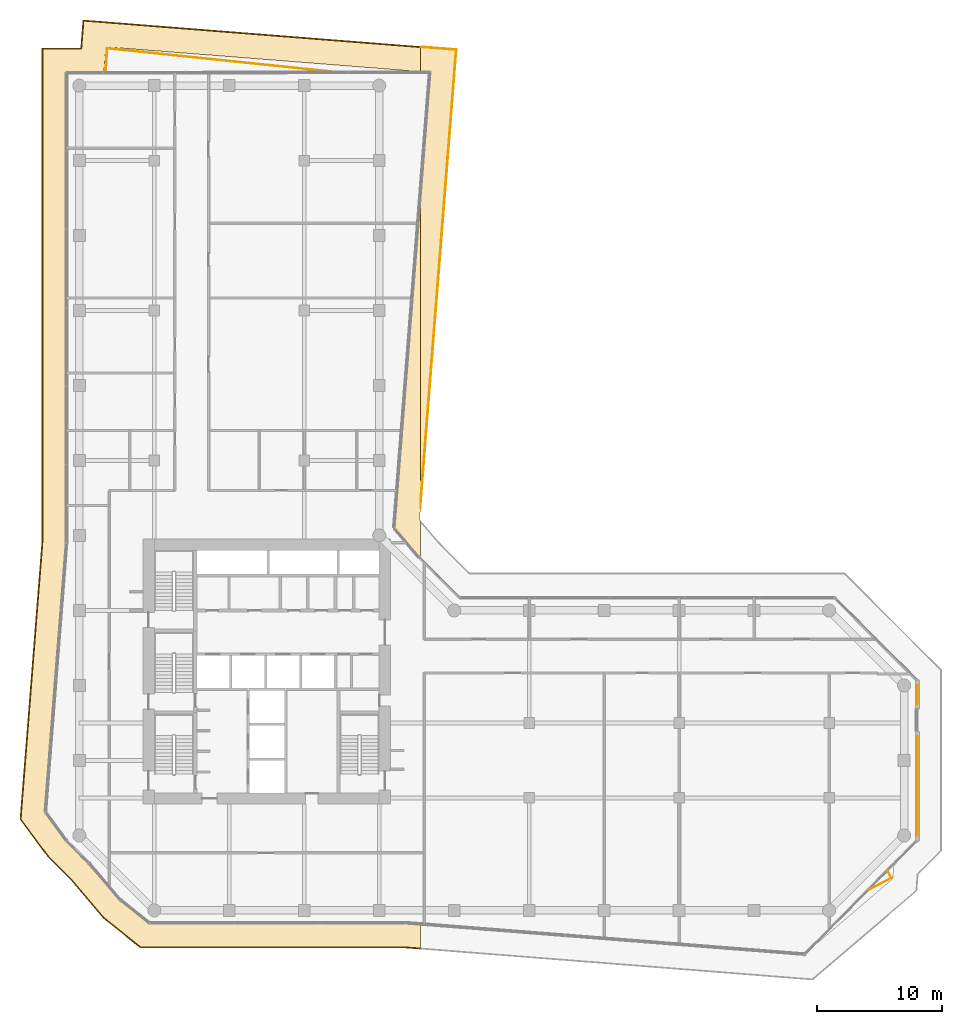
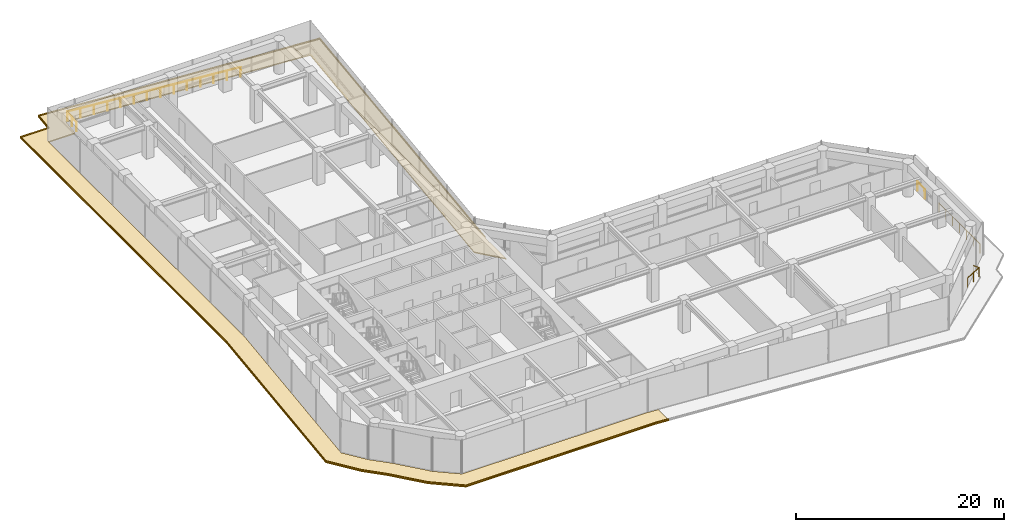
# One storey, part 29 of 29: 5 coverings, 4 railings.
"""IFC4 building model written with IfcOpenShell, lengths in metres."""

from ifc_helpers import new_model, si_unit, direction, frame, origin, origin_2d, place, context, subcontext, project, spatial, polyline, circle, outline, extrude, material, layer, layer_set, type_object, element, save


model = new_model("IFC4")

# Units and contexts
model_context = context("Model", 3, precision=1e-05, world=origin(), true_north=direction((0.0, 1.0)))
body_context = subcontext(model_context, "Body", "Model", "MODEL_VIEW")
ifc_project = project(units=[si_unit("LENGTHUNIT", "METRE"), si_unit("AREAUNIT", "SQUARE_METRE"), si_unit("VOLUMEUNIT", "CUBIC_METRE"), si_unit("PLANEANGLEUNIT", "RADIAN"), si_unit("MASSUNIT", "GRAM", prefix="KILO")], contexts=[model_context])

# Site, building, storey
site_placement = place(None, origin())
site = spatial("IfcSite", under=ifc_project, at=site_placement, CompositionType="ELEMENT")
building_placement = place(site_placement, origin())
building = spatial("IfcBuilding", under=site, at=building_placement, Name="Welwitschia Terrace Campus", CompositionType="ELEMENT")
storey_placement = place(building_placement, frame((0.0, 0.0, 33.199951171875)))
storey = spatial("IfcBuildingStorey", under=building, at=storey_placement, Name="L07", CompositionType="ELEMENT", Elevation=33.199951171875)

# Railings
ifc_material_1 = material(Name="Stainless steel grade 316", Category="steel")
railing_type = type_object("IfcRailingType", Name="Guard 1100", PredefinedType="GUARDRAIL", material=ifc_material_1)
railing_1_placement = place(storey_placement, frame((2.120849609375, 63.058349609375, 0.0)))
element("IfcRailing", 1, at=railing_1_placement, inside=storey, type_object=railing_type, Name="Guard floor edge L07.0", PredefinedType="GUARDRAIL", context=body_context, shape_type="SweptSolid", body=[
    extrude(circle(Radius=0.02392578125, at=origin_2d()), frame((0.0, 0.0, 1.076171875), z_axis=(0.05955176, 0.998225219017, 0.0), x_axis=(-0.998225219017, 0.05955176, 0.0)), (0.0, 0.0, 1.0), 1.91455078125),
    extrude(circle(Radius=0.02392578125, at=origin_2d()), frame((0.114013671875, 1.9111328125, 1.076171875), z_axis=(0.994679705351, -0.103015939361, 0.0), x_axis=(0.103015939361, 0.994679705351, 0.0)), (0.0, 0.0, 1.0), 18.186767578125),
    extrude(circle(Radius=0.02099609375, at=origin_2d()), origin(), (0.0, 0.0, 1.0), 1.052001953125),
    extrude(circle(Radius=0.02099609375, at=origin_2d()), frame((0.05712890625, 0.95556640625, 0.0)), (0.0, 0.0, 1.0), 1.052001953125),
    extrude(circle(Radius=0.02099609375, at=origin_2d()), frame((0.114013671875, 1.9111328125, 0.0)), (0.0, 0.0, 1.0), 1.052001953125),
    extrude(circle(Radius=0.02099609375, at=origin_2d()), frame((1.505615234375, 1.76708984375, 0.0)), (0.0, 0.0, 1.0), 1.052001953125),
    extrude(circle(Radius=0.02099609375, at=origin_2d()), frame((2.897216796875, 1.622802734375, 0.0)), (0.0, 0.0, 1.0), 1.052001953125),
    extrude(circle(Radius=0.02099609375, at=origin_2d()), frame((4.28857421875, 1.478759765625, 0.0)), (0.0, 0.0, 1.0), 1.052001953125),
    extrude(circle(Radius=0.02099609375, at=origin_2d()), frame((5.68017578125, 1.334716796875, 0.0)), (0.0, 0.0, 1.0), 1.052001953125),
    extrude(circle(Radius=0.02099609375, at=origin_2d()), frame((7.07177734375, 1.1904296875, 0.0)), (0.0, 0.0, 1.0), 1.052001953125),
    extrude(circle(Radius=0.02099609375, at=origin_2d()), frame((8.46337890625, 1.04638671875, 0.0)), (0.0, 0.0, 1.0), 1.052001953125),
    extrude(circle(Radius=0.02099609375, at=origin_2d()), frame((9.854736328125, 0.90234375, 0.0)), (0.0, 0.0, 1.0), 1.052001953125),
    extrude(circle(Radius=0.02099609375, at=origin_2d()), frame((11.246337890625, 0.75830078125, 0.0)), (0.0, 0.0, 1.0), 1.052001953125),
    extrude(circle(Radius=0.02099609375, at=origin_2d()), frame((12.637939453125, 0.614013671875, 0.0)), (0.0, 0.0, 1.0), 1.052001953125),
    extrude(circle(Radius=0.02099609375, at=origin_2d()), frame((14.029541015625, 0.469970703125, 0.0)), (0.0, 0.0, 1.0), 1.052001953125),
    extrude(circle(Radius=0.02099609375, at=origin_2d()), frame((15.4208984375, 0.325927734375, 0.0)), (0.0, 0.0, 1.0), 1.052001953125),
    extrude(circle(Radius=0.02099609375, at=origin_2d()), frame((16.8125, 0.181640625, 0.0)), (0.0, 0.0, 1.0), 1.052001953125),
    extrude(circle(Radius=0.02099609375, at=origin_2d()), frame((18.2041015625, 0.03759765625, 0.0)), (0.0, 0.0, 1.0), 1.052001953125),
])
railing_2_placement = place(storey_placement, frame((64.680908203125, -0.82373046875, 0.0)))
element("IfcRailing", 2, at=railing_2_placement, inside=storey, type_object=railing_type, Name="Guard floor edge L07.1", PredefinedType="GUARDRAIL", context=body_context, shape_type="SweptSolid", body=[
    extrude(circle(Radius=0.02392578125, at=origin_2d()), frame((0.0, 0.0, 1.076171875), z_axis=(0.45990170852, -0.887969829724, 0.0), x_axis=(0.887969829724, 0.45990170852, 0.0)), (0.0, 0.0, 1.0), 0.65185546875),
    extrude(circle(Radius=0.02392578125, at=origin_2d()), frame((0.2998046875, -0.578857421875, 1.076171875), z_axis=(-0.883146307445, -0.469097644043, 0.0), x_axis=(0.469097644043, -0.883146307445, 0.0)), (0.0, 0.0, 1.0), 2.066650390625),
    extrude(circle(Radius=0.02099609375, at=origin_2d()), origin(), (0.0, 0.0, 1.0), 1.052001953125),
    extrude(circle(Radius=0.02099609375, at=origin_2d()), frame((0.2998046875, -0.578857421875, 0.0)), (0.0, 0.0, 1.0), 1.052001953125),
    extrude(circle(Radius=0.02099609375, at=origin_2d()), frame((-0.61279296875, -1.0634765625, 0.0)), (0.0, 0.0, 1.0), 1.052001953125),
    extrude(circle(Radius=0.02099609375, at=origin_2d()), frame((-1.525390625, -1.54833984375, 0.0)), (0.0, 0.0, 1.0), 1.052001953125),
])
railing_3_placement = place(storey_placement, frame((67.05810546875, 9.906005859375, 0.0)))
element("IfcRailing", 3, at=railing_3_placement, inside=storey, type_object=railing_type, Name="Guard floor edge L07.2", PredefinedType="GUARDRAIL", context=body_context, shape_type="SweptSolid", body=[
    extrude(circle(Radius=0.02392578125, at=origin_2d()), frame((0.0, 0.0, 1.076171875), z_axis=(0.0, -1.0, 0.0), x_axis=(1.0, 0.0, 0.0)), (0.0, 0.0, 1.0), 7.93115234375),
    extrude(circle(Radius=0.02099609375, at=origin_2d()), origin(), (0.0, 0.0, 1.0), 1.052001953125),
    extrude(circle(Radius=0.02099609375, at=origin_2d()), frame((0.0, -1.32177734375, 0.0)), (0.0, 0.0, 1.0), 1.052001953125),
    extrude(circle(Radius=0.02099609375, at=origin_2d()), frame((0.0, -2.643798828125, 0.0)), (0.0, 0.0, 1.0), 1.052001953125),
    extrude(circle(Radius=0.02099609375, at=origin_2d()), frame((0.0, -3.965576171875, 0.0)), (0.0, 0.0, 1.0), 1.052001953125),
    extrude(circle(Radius=0.02099609375, at=origin_2d()), frame((0.0, -5.287353515625, 0.0)), (0.0, 0.0, 1.0), 1.052001953125),
    extrude(circle(Radius=0.02099609375, at=origin_2d()), frame((0.0, -6.609375, 0.0)), (0.0, 0.0, 1.0), 1.052001953125),
    extrude(circle(Radius=0.02099609375, at=origin_2d()), frame((0.0, -7.93115234375, 0.0)), (0.0, 0.0, 1.0), 1.052001953125),
])
railing_4_placement = place(storey_placement, frame((67.05810546875, 14.025146484375, 0.0)))
element("IfcRailing", 4, at=railing_4_placement, inside=storey, type_object=railing_type, Name="Guard floor edge L07.3", PredefinedType="GUARDRAIL", context=body_context, shape_type="SweptSolid", body=[
    extrude(circle(Radius=0.02392578125, at=origin_2d()), frame((0.0, 0.0, 1.076171875), z_axis=(0.0, -1.0, 0.0), x_axis=(1.0, 0.0, 0.0)), (0.0, 0.0, 1.0), 1.4931640625),
    extrude(circle(Radius=0.02099609375, at=origin_2d()), origin(), (0.0, 0.0, 1.0), 1.052001953125),
    extrude(circle(Radius=0.02099609375, at=origin_2d()), frame((0.0, -1.4931640625, 0.0)), (0.0, 0.0, 1.0), 1.052001953125),
])

# Coverings
ifc_material_2 = material(Name="Bronze anodised aluminium", Category="aluminium")
ifc_layer_1 = layer(ifc_material_2, 0.1201171875)
ifc_layer_set_1 = layer_set([ifc_layer_1], Name="Bronze anodised aluminium")
covering_type_1 = type_object("IfcCoveringType", Name="Sunshade band 2000", PredefinedType="USERDEFINED", material=ifc_layer_set_1)
covering_1_placement = place(storey_placement, frame((0.0, 0.0, -0.25)))
element("IfcCovering", 5, at=covering_1_placement, inside=storey, type_object=covering_type_1, Name="SUNSHADE L07.SW0", ObjectType="SUNSHADE", PredefinedType="USERDEFINED", context=body_context, shape_type="SweptSolid", body=[
    extrude(outline(polyline([(0.110595703125, 65.0), (0.287841796875, 67.249267578125), (27.30615234375, 65.122802734375), (27.30615234375, 63.11669921875), (2.124755859375, 65.0986328125), (1.95947265625, 63.0), (-1.0, 63.0), (-1.0, 25.395751953125), (-2.69384765625, 3.873779296875), (-1.0, 1.585693359375), (0.783203125, -0.197509765625), (3.35498046875, -3.20849609375), (5.585693359375, -5.0), (26.117919921875, -5.0), (27.30615234375, -5.093505859375), (27.30615234375, -7.099609375), (26.039306640625, -7.0), (4.882080078125, -7.0), (1.956298828125, -4.650390625), (-0.6865234375, -1.55615234375), (-2.51904296875, 0.276611328125), (-4.746337890625, 3.284912109375), (-3.0, 25.474365234375), (-3.0, 65.0), (0.110595703125, 65.0)])), origin(), (0.0, 0.0, 1.0), 0.1201171875),
])
covering_2_placement = place(storey_placement, frame((0.0, 0.0, -0.25)))
element("IfcCovering", 6, at=covering_2_placement, inside=storey, type_object=covering_type_1, Name="SUNSHADE L07.SW1", ObjectType="SUNSHADE", PredefinedType="USERDEFINED", context=body_context, shape_type="SweptSolid", body=[
    extrude(outline(polyline([(27.23291015625, 27.254638671875), (27.30615234375, 27.168701171875), (27.30615234375, 24.10791015625), (27.196044921875, 24.218017578125), (25.174072265625, 26.585693359375), (27.30615234375, 53.677001953125), (27.30615234375, 28.18603515625), (27.23291015625, 27.254638671875)])), origin(), (0.0, 0.0, 1.0), 0.1201171875),
])
covering_3_placement = place(storey_placement, frame((0.0, 0.0, -0.25)))
element("IfcCovering", 7, at=covering_3_placement, inside=storey, type_object=covering_type_1, Name="SUNSHADE L07.SE0", ObjectType="SUNSHADE", PredefinedType="USERDEFINED", context=body_context, shape_type="SweptSolid", body=[
    extrude(outline(polyline([(30.1953125, 64.8955078125), (27.30615234375, 28.18603515625), (27.30615234375, 53.677001953125), (28.04443359375, 63.05859375), (27.30615234375, 63.11669921875), (27.30615234375, 65.122802734375), (30.1953125, 64.8955078125)])), origin(), (0.0, 0.0, 1.0), 0.1201171875),
])
ifc_material_3 = material(Name="Bronze anodised aluminium", Category="aluminium")
ifc_layer_2 = layer(ifc_material_3, 0.06005859375)
ifc_layer_set_2 = layer_set([ifc_layer_2], Name="Bronze anodised aluminium")
covering_type_2 = type_object("IfcCoveringType", Name="Sunshade lip 60", PredefinedType="USERDEFINED", material=ifc_layer_set_2)
covering_4_placement = place(storey_placement, frame((0.0, 0.0, -0.1298828125)))
element("IfcCovering", 8, at=covering_4_placement, inside=storey, type_object=covering_type_2, Name="SUNSHADE LIP L07.SW0.0", ObjectType="SUNSHADE", PredefinedType="USERDEFINED", context=body_context, shape_type="SweptSolid", body=[
    extrude(outline(polyline([(0.287841796875, 67.249267578125), (27.30615234375, 65.122802734375), (27.30615234375, 65.062744140625), (0.343017578125, 67.184814453125), (0.166259765625, 64.93994140625), (-2.93994140625, 64.93994140625), (-2.93994140625, 25.471923828125), (-4.684814453125, 3.302490234375), (-2.4736328125, 0.31591796875), (-0.642333984375, -1.515380859375), (1.998046875, -4.60693359375), (4.9033203125, -6.93994140625), (26.041748046875, -6.93994140625), (27.30615234375, -7.03955078125), (27.30615234375, -7.099609375), (26.039306640625, -7.0), (4.882080078125, -7.0), (1.956298828125, -4.650390625), (-0.6865234375, -1.55615234375), (-2.51904296875, 0.276611328125), (-4.746337890625, 3.284912109375), (-3.0, 25.474365234375), (-3.0, 65.0), (0.110595703125, 65.0), (0.287841796875, 67.249267578125)])), origin(), (0.0, 0.0, 1.0), 0.1298828125),
])
covering_5_placement = place(storey_placement, frame((0.0, 0.0, -0.1298828125)))
element("IfcCovering", 9, at=covering_5_placement, inside=storey, type_object=covering_type_2, Name="SUNSHADE LIP L07.SE0.0", ObjectType="SUNSHADE", PredefinedType="USERDEFINED", context=body_context, shape_type="SweptSolid", body=[
    extrude(outline(polyline([(27.30615234375, 28.18603515625), (27.30615234375, 28.95068359375), (30.130859375, 64.84033203125), (27.30615234375, 65.062744140625), (27.30615234375, 65.122802734375), (30.1953125, 64.8955078125), (27.30615234375, 28.18603515625)])), origin(), (0.0, 0.0, 1.0), 0.1298828125),
])

save(model, "model.ifc")
